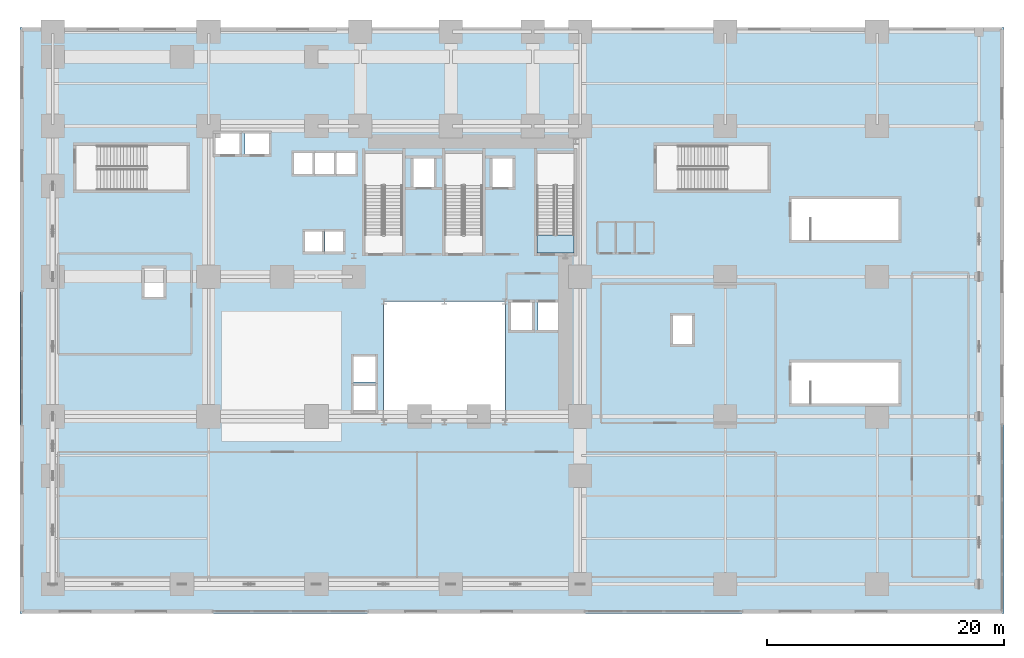
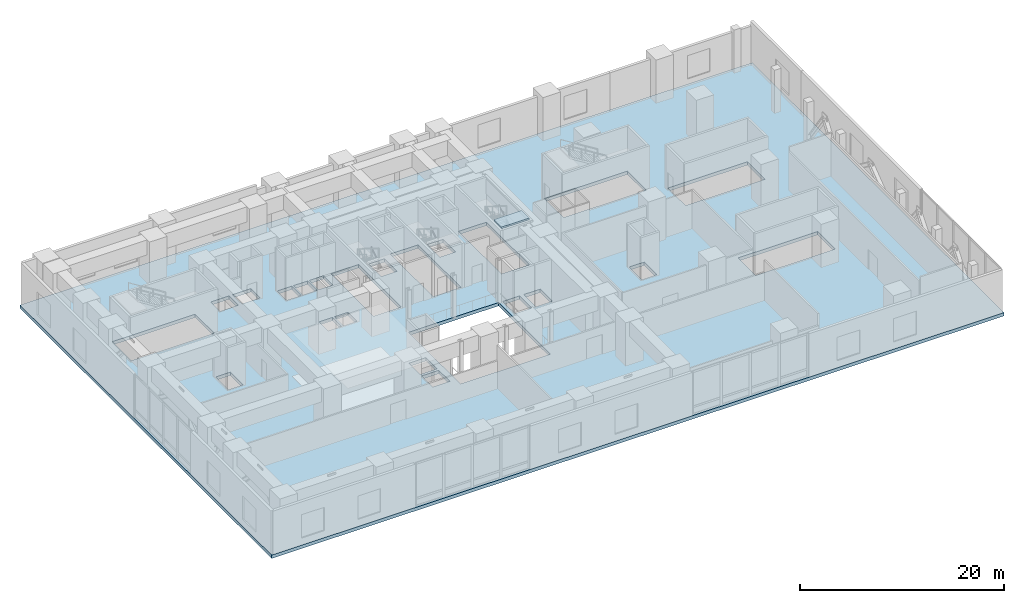
# One storey, part 8 of 17: 2 slabs, 1 element without a shape of its own.
"""IFC4 building model written with IfcOpenShell, lengths in metres."""

from ifc_helpers import new_model, si_unit, direction, frame, origin, place, context, subcontext, project, spatial, polyline, outline, extrude, material, layer, layer_set, type_object, element, aggregate, save


model = new_model("IFC4")

# Units and contexts
model_context = context("Model", 3, precision=1e-05, world=origin(), true_north=direction((0.0, 1.0)))
body_context = subcontext(model_context, "Body", "Model", "MODEL_VIEW")
ifc_project = project(units=[si_unit("LENGTHUNIT", "METRE"), si_unit("AREAUNIT", "SQUARE_METRE"), si_unit("VOLUMEUNIT", "CUBIC_METRE"), si_unit("PLANEANGLEUNIT", "RADIAN"), si_unit("MASSUNIT", "GRAM", prefix="KILO")], contexts=[model_context])

# Site, building, storey
site_placement = place(None, origin())
site = spatial("IfcSite", under=ifc_project, at=site_placement, CompositionType="ELEMENT")
building_placement = place(site_placement, origin())
building = spatial("IfcBuilding", under=site, at=building_placement, Name="Vardaveli Station Tower", CompositionType="ELEMENT")
storey_placement = place(building_placement, frame((0.0, 0.0, 11.39990234375)))
storey = spatial("IfcBuildingStorey", under=building, at=storey_placement, Name="L03", CompositionType="ELEMENT", Elevation=11.39990234375)

# Stair, slab
ifc_material_1 = material(Name="Concrete C40/50", Category="concrete")
stair_type = type_object("IfcStairType", Name="STR-CORE-1500", PredefinedType="HALF_TURN_STAIR", material=ifc_material_1)
stair_placement = place(storey_placement, origin())
stair = element("IfcStair", 1, at=stair_placement, inside=storey, type_object=stair_type, Name="L03 ST-3", PredefinedType="HALF_TURN_STAIR")
ifc_layer_1 = layer(ifc_material_1, 0.199951171875, Name="Concrete C40/50")
ifc_layer_set_1 = layer_set([ifc_layer_1], Name="Concrete C40/50")
slab_type_1 = type_object("IfcSlabType", Name="SLB-LAND-200", PredefinedType="LANDING", material=ifc_layer_set_1)
slab_1_placement = place(storey_placement, frame((0.0, 0.0, 5.400146484375)))
slab_1 = element("IfcSlab", 2, at=slab_1_placement, type_object=slab_type_1, Name="ST-3 landing 2", PredefinedType="LANDING", context=body_context, shape_type="SweptSolid", body=[
    extrude(outline(polyline([(47.25, 30.89990234375), (47.25, 32.39990234375), (44.10009765625, 32.39990234375), (44.10009765625, 30.89990234375), (47.25, 30.89990234375)])), origin(), (0.0, 0.0, 1.0), 0.199951171875),
])
aggregate(stair, [slab_1])

# Slab
ifc_material_2 = material(Name="Concrete C50/60", Category="concrete")
ifc_layer_2 = layer(ifc_material_2, 0.39990234375, Name="Concrete C50/60")
ifc_layer_set_2 = layer_set([ifc_layer_2], Name="Concrete C50/60")
slab_type_2 = type_object("IfcSlabType", Name="SLB-TRANS-400", PredefinedType="FLOOR", material=ifc_layer_set_2)
slab_2_placement = place(storey_placement, frame((0.0, 0.0, -0.39990234375)))
element("IfcSlab", 3, at=slab_2_placement, inside=storey, type_object=slab_type_2, Name="SLB-L03-MAIN", PredefinedType="FLOOR", context=body_context, shape_type="SweptSolid", body=[
    extrude(outline(polyline([(0.489990234375, 0.489990234375), (83.510009765625, 0.489990234375), (83.510009765625, 49.909912109375), (0.489990234375, 49.909912109375), (0.489990234375, 0.489990234375)]), holes=[polyline([(31.199951171875, 16.60009765625), (41.39990234375, 16.60009765625), (41.39990234375, 26.800048828125), (31.199951171875, 26.800048828125), (31.199951171875, 16.60009765625)]), polyline([(32.75, 30.89990234375), (32.75, 39.300048828125), (29.60009765625, 39.300048828125), (29.60009765625, 30.89990234375), (32.75, 30.89990234375)]), polyline([(39.5, 30.89990234375), (39.5, 39.300048828125), (36.35009765625, 39.300048828125), (36.35009765625, 30.89990234375), (39.5, 30.89990234375)]), polyline([(47.25, 30.89990234375), (47.25, 39.300048828125), (44.10009765625, 39.300048828125), (44.10009765625, 30.89990234375), (47.25, 30.89990234375)]), polyline([(5.199951171875, 36.199951171875), (14.60009765625, 36.199951171875), (14.60009765625, 39.949951171875), (5.199951171875, 39.949951171875), (5.199951171875, 36.199951171875)]), polyline([(54.199951171875, 36.199951171875), (63.60009765625, 36.199951171875), (63.60009765625, 39.949951171875), (54.199951171875, 39.949951171875), (54.199951171875, 36.199951171875)]), polyline([(65.60009765625, 18.199951171875), (74.60009765625, 18.199951171875), (74.60009765625, 21.64990234375), (65.60009765625, 21.64990234375), (65.60009765625, 18.199951171875)]), polyline([(65.60009765625, 32.0), (74.60009765625, 32.0), (74.60009765625, 35.449951171875), (65.60009765625, 35.449951171875), (65.60009765625, 32.0)]), polyline([(10.9599609375, 27.159912109375), (12.639892578125, 27.159912109375), (12.639892578125, 29.639892578125), (10.9599609375, 29.639892578125), (10.9599609375, 27.159912109375)]), polyline([(55.56005859375, 23.159912109375), (57.239990234375, 23.159912109375), (57.239990234375, 25.639892578125), (55.56005859375, 25.639892578125), (55.56005859375, 23.159912109375)]), polyline([(16.9599609375, 39.18505859375), (19.0400390625, 39.18505859375), (19.0400390625, 41.014892578125), (16.9599609375, 41.014892578125), (16.9599609375, 39.18505859375)]), polyline([(19.4599609375, 39.18505859375), (21.5400390625, 39.18505859375), (21.5400390625, 41.014892578125), (19.4599609375, 41.014892578125), (19.4599609375, 39.18505859375)]), polyline([(23.5849609375, 37.534912109375), (25.215087890625, 37.534912109375), (25.215087890625, 39.364990234375), (23.5849609375, 39.364990234375), (23.5849609375, 37.534912109375)]), polyline([(25.385009765625, 37.534912109375), (27.014892578125, 37.534912109375), (27.014892578125, 39.364990234375), (25.385009765625, 39.364990234375), (25.385009765625, 37.534912109375)]), polyline([(27.18505859375, 37.534912109375), (28.81494140625, 37.534912109375), (28.81494140625, 39.364990234375), (27.18505859375, 39.364990234375), (27.18505859375, 37.534912109375)]), polyline([(33.659912109375, 36.409912109375), (35.43994140625, 36.409912109375), (35.43994140625, 38.889892578125), (33.659912109375, 38.889892578125), (33.659912109375, 36.409912109375)]), polyline([(40.31005859375, 36.409912109375), (42.090087890625, 36.409912109375), (42.090087890625, 38.889892578125), (40.31005859375, 38.889892578125), (40.31005859375, 36.409912109375)]), polyline([(24.485107421875, 30.9599609375), (26.014892578125, 30.9599609375), (26.014892578125, 32.739990234375), (24.485107421875, 32.739990234375), (24.485107421875, 30.9599609375)]), polyline([(26.235107421875, 30.9599609375), (27.764892578125, 30.9599609375), (27.764892578125, 32.739990234375), (26.235107421875, 32.739990234375), (26.235107421875, 30.9599609375)]), polyline([(28.5849609375, 17.510009765625), (30.514892578125, 17.510009765625), (30.514892578125, 19.68994140625), (28.5849609375, 19.68994140625), (28.5849609375, 17.510009765625)]), polyline([(28.5849609375, 20.010009765625), (30.514892578125, 20.010009765625), (30.514892578125, 22.18994140625), (28.5849609375, 22.18994140625), (28.5849609375, 20.010009765625)]), polyline([(41.860107421875, 24.360107421875), (43.739990234375, 24.360107421875), (43.739990234375, 26.739990234375), (41.860107421875, 26.739990234375), (41.860107421875, 24.360107421875)]), polyline([(44.2099609375, 24.360107421875), (46.090087890625, 24.360107421875), (46.090087890625, 26.739990234375), (44.2099609375, 26.739990234375), (44.2099609375, 24.360107421875)])]), origin(), (0.0, 0.0, 1.0), 0.39990234375),
])

save(model, "model.ifc")
